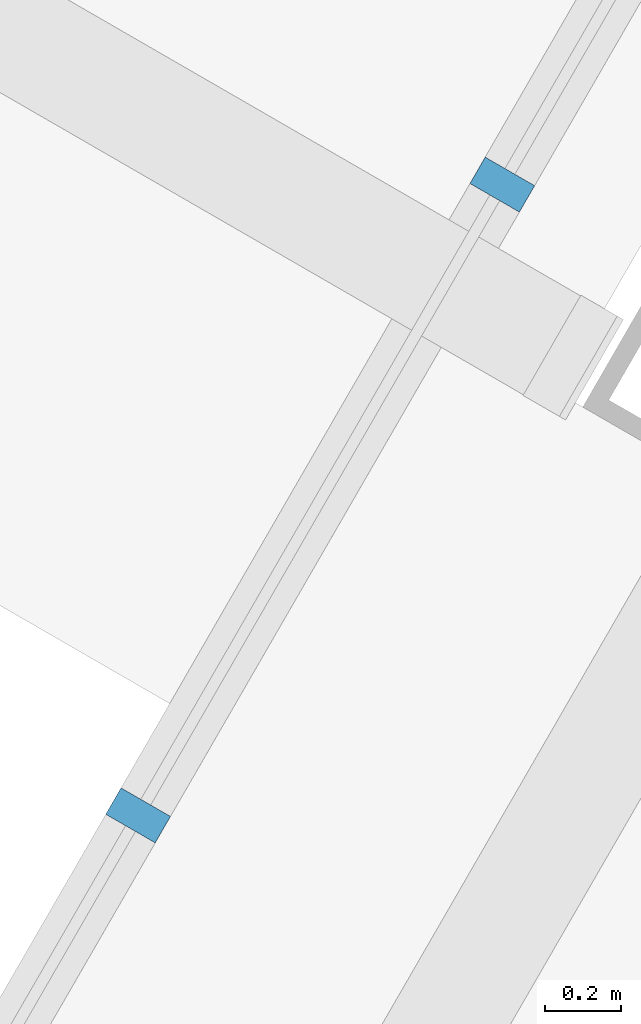
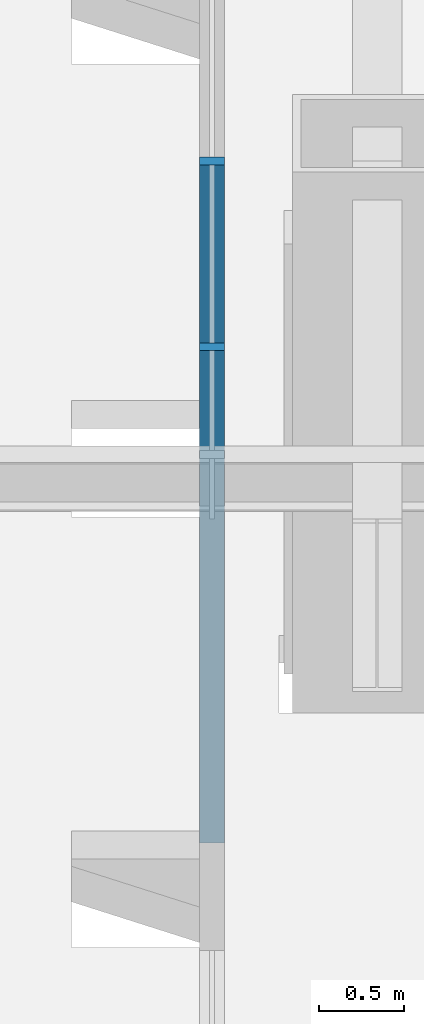
# One storey, part 8 of 35: 2 members, 1 element without a shape of its own.
"""IFC4 building model written with IfcOpenShell, lengths in metres."""

from ifc_helpers import new_model, si_unit, direction, frame, origin, origin_2d, place, context, subcontext, project, spatial, rectangle, extrude, material, layer, layer_set, material_profile, profile_set, type_object, element, aggregate, save


model = new_model("IFC4")

# Units and contexts
model_context = context("Model", 3, precision=1e-05, world=origin(), true_north=direction((0.0, 1.0)))
body_context = subcontext(model_context, "Body", "Model", "MODEL_VIEW")
ifc_project = project(units=[si_unit("LENGTHUNIT", "METRE"), si_unit("AREAUNIT", "SQUARE_METRE"), si_unit("VOLUMEUNIT", "CUBIC_METRE"), si_unit("PLANEANGLEUNIT", "RADIAN"), si_unit("MASSUNIT", "GRAM", prefix="KILO")], contexts=[model_context])

# Site, building, storey
site_placement = place(None, origin())
site = spatial("IfcSite", under=ifc_project, at=site_placement, CompositionType="ELEMENT")
building_placement = place(site_placement, origin())
building = spatial("IfcBuilding", under=site, at=building_placement, Name="Firuza Gate Tower and Library", CompositionType="ELEMENT")
storey_placement = place(building_placement, frame((0.0, 0.0, 159.699951171875)))
storey = spatial("IfcBuildingStorey", under=building, at=storey_placement, Name="L36", CompositionType="ELEMENT", Elevation=159.699951171875)

# Curtain wall, members
ifc_material_1 = material(Name="Aluminium 6063-T6", Category="aluminium")
ifc_layer = layer(ifc_material_1, 0.14990234375)
ifc_layer_set = layer_set([ifc_layer], Name="Unitised curtain wall, hotel")
curtain_wall_type = type_object("IfcCurtainWallType", Name="Unitised curtain wall, hotel", PredefinedType="NOTDEFINED", material=ifc_layer_set)
curtain_wall_placement = place(storey_placement, origin())
curtain_wall = element("IfcCurtainWall", 1, at=curtain_wall_placement, inside=storey, type_object=curtain_wall_type, Name="CW2 L36 W face", PredefinedType="NOTDEFINED")
ifc_material_2 = material(Name="Aluminium 6063-T6", Category="aluminium")
ifc_material_profile = material_profile(ifc_material_2, rectangle(XDim=0.14990234375, YDim=0.080078125, at=origin_2d()))
ifc_profile_set = profile_set([ifc_material_profile], Name="Aluminium 6063-T6")
member_type = type_object("IfcMemberType", Name="Curtain wall mullion 80x150", PredefinedType="MULLION", material=ifc_profile_set)
member_1_placement = place(storey_placement, frame((57.754150390625, 84.95703125, 0.150146484375), z_axis=(0.0, 0.0, 1.0), x_axis=(0.866025403784, -0.5, 0.0)))
member_1 = element("IfcMember", 2, at=member_1_placement, type_object=member_type, Name="Mullion", PredefinedType="MULLION", context=body_context, shape_type="SweptSolid", body=[
    extrude(rectangle(XDim=0.14990234375, YDim=0.080078125, at=origin_2d()), origin(), (0.0, 0.0, 1.0), 3.5498046875),
])
member_2_placement = place(storey_placement, frame((56.7978515625, 83.30078125, 0.150146484375), z_axis=(0.0, 0.0, 1.0), x_axis=(0.866025403784, -0.5, 0.0)))
member_2 = element("IfcMember", 3, at=member_2_placement, type_object=member_type, Name="Mullion", PredefinedType="MULLION", context=body_context, shape_type="SweptSolid", body=[
    extrude(rectangle(XDim=0.14990234375, YDim=0.080078125, at=origin_2d()), origin(), (0.0, 0.0, 1.0), 3.5498046875),
])
aggregate(curtain_wall, [member_1, member_2])

save(model, "model.ifc")
